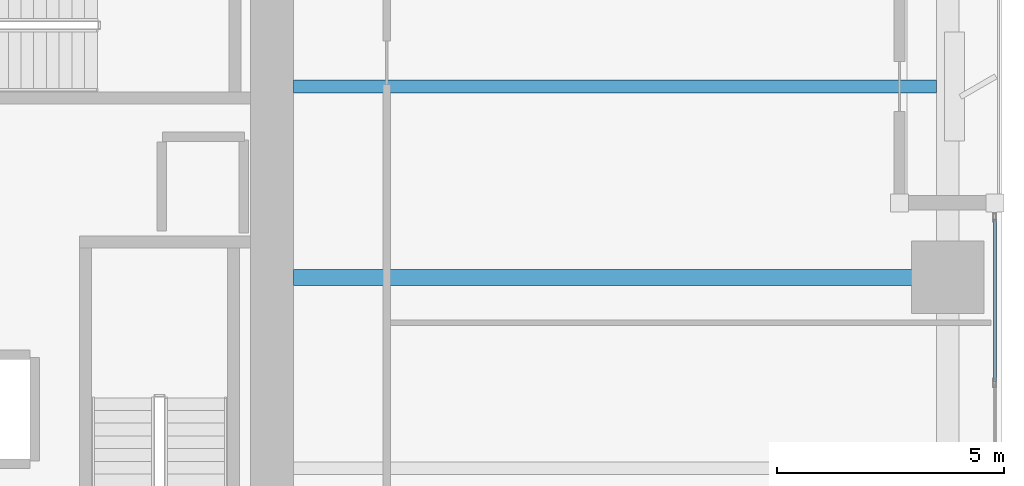
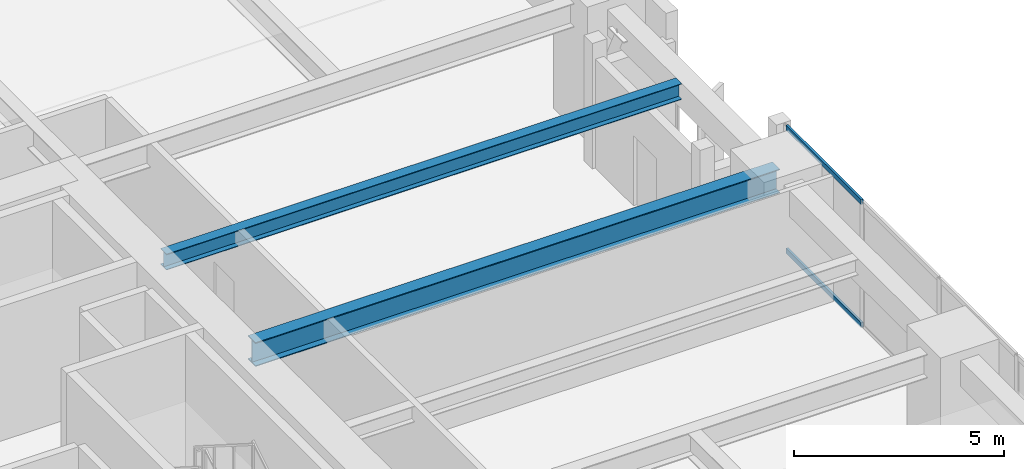
# One storey, part 9 of 29: 2 beams, 2 members, 1 element without a shape of its own.
"""IFC4 building model written with IfcOpenShell, lengths in metres."""

import ifcopenshell
import ifcopenshell.guid

model = None  # the IFC model being written
_history = None  # IfcOwnerHistory: only IFC2X3 demands one
_inside = {}  # id of a spatial element -> (the spatial element, [elements in it])
_under = {}  # id of a project, library or spatial element -> (it, [spatial elements below it])
_declared = {}  # id of a project -> (the project, [libraries it declares])
_typed = {}  # id of a type object -> (the type object, [elements of that type])
_made_of = {}  # id of a material, layer set ... -> (it, [elements and type objects made of it])


def new_model(schema):
    """Start an empty IFC model of exactly this schema.

    Asked for "IFC4X3", IfcOpenShell would pick the latest addendum, in which some entities
    have other attributes; the version numbers below select the first issue.
    IFC2X3 requires an IfcOwnerHistory on every rooted entity: one is made here for all.
    """
    global model, _history
    if schema == "IFC4X3":
        model = ifcopenshell.file(schema_version=(4, 3, 0, 0))
    else:
        model = ifcopenshell.file(schema=schema)
    _inside.clear()
    _under.clear()
    _declared.clear()
    _typed.clear()
    _made_of.clear()
    _history = None
    if model.schema == "IFC2X3":
        org = make("IfcOrganization", Name="unknown")
        user = make(
            "IfcPersonAndOrganization",
            ThePerson=make("IfcPerson", FamilyName="unknown"),
            TheOrganization=org,
        )
        app = make(
            "IfcApplication",
            ApplicationDeveloper=org,
            Version="unknown",
            ApplicationFullName="unknown",
            ApplicationIdentifier="unknown",
        )
        _history = make(
            "IfcOwnerHistory",
            OwningUser=user,
            OwningApplication=app,
            ChangeAction="ADDED",
            CreationDate=0,
        )
    return model


def make(cls, **values):
    """One entity of the class cls with the attributes given. An attribute that is None is left unset."""
    return model.create_entity(
        cls, **{name: value for name, value in values.items() if value is not None}
    )


def rooted(cls, **values):
    """An entity with a GlobalId (a new one), such as an element, a storey or a relation."""
    return make(cls, GlobalId=ifcopenshell.guid.new(), OwnerHistory=_history, **values)


def si_unit(unit_type, name, prefix=None):
    """IfcSIUnit, for example si_unit("LENGTHUNIT", "METRE", prefix="MILLI")."""
    return make("IfcSIUnit", UnitType=unit_type, Prefix=prefix, Name=name)


def assignment(units):
    """IfcUnitAssignment: the units of a project."""
    return None if units is None else make("IfcUnitAssignment", Units=units)


def point(xyz):
    """IfcCartesianPoint."""
    return None if xyz is None else make("IfcCartesianPoint", Coordinates=xyz)


def direction(xyz):
    """IfcDirection."""
    return None if xyz is None else make("IfcDirection", DirectionRatios=xyz)


def frame(location, z_axis=None, x_axis=None):
    """IfcAxis2Placement3D, a coordinate frame: its origin and axes. An axis left out is left unset."""
    return make(
        "IfcAxis2Placement3D",
        Location=point(location),
        Axis=direction(z_axis),
        RefDirection=direction(x_axis),
    )


def frame_2d(location, x_axis=None):
    """IfcAxis2Placement2D, a coordinate frame in the plane: its origin and x axis."""
    return make(
        "IfcAxis2Placement2D", Location=point(location), RefDirection=direction(x_axis)
    )


def origin():
    """The frame at (0, 0, 0) with its axes left unset."""
    return frame((0.0, 0.0, 0.0))


def origin_2d():
    """The frame at (0, 0) in the plane with its x axis left unset."""
    return frame_2d((0.0, 0.0))


def place(relative_to, where):
    """IfcLocalPlacement: puts the frame where relative to a parent placement (None: the world)."""
    return make(
        "IfcLocalPlacement", PlacementRelTo=relative_to, RelativePlacement=where
    )


def context(
    kind, dimensions, precision=None, world=None, true_north=None, identifier=None
):
    """IfcGeometricRepresentationContext, for example the 3D "Model" context."""
    return make(
        "IfcGeometricRepresentationContext",
        ContextIdentifier=identifier,
        ContextType=kind,
        CoordinateSpaceDimension=dimensions,
        Precision=precision,
        WorldCoordinateSystem=world,
        TrueNorth=true_north,
    )


def subcontext(parent, identifier, kind, view, scale=None):
    """IfcGeometricRepresentationSubContext, for example "Body" below "Model"."""
    return make(
        "IfcGeometricRepresentationSubContext",
        ContextIdentifier=identifier,
        ContextType=kind,
        ParentContext=parent,
        TargetScale=scale,
        TargetView=view,
    )


def project(units=None, contexts=None):
    """IfcProject with its units and contexts."""
    return rooted(
        "IfcProject",
        Name="project",
        RepresentationContexts=contexts,
        UnitsInContext=assignment(units),
    )


def spatial(cls, under=None, at=None, **own):
    """A site, building, storey or space (cls), placed at a placement, below another one or the project."""
    s = rooted(cls, ObjectPlacement=at, **own)
    if under is not None:
        _under.setdefault(under.id(), (under, []))[1].append(s)
    return s


def profile(cls, at=None, kind="AREA", **sizes):
    """A parametric profile (cls). Its sizes go by their IFC names, for example OverallWidth=200.0."""
    return make(cls, ProfileType=kind, Position=at, **sizes)


def hollow_rectangle(**sizes):
    """IfcRectangleHollowProfileDef."""
    return profile("IfcRectangleHollowProfileDef", **sizes)


def i_section(**sizes):
    """IfcIShapeProfileDef."""
    return profile("IfcIShapeProfileDef", **sizes)


def extrude(swept, where, along, depth):
    """IfcExtrudedAreaSolid: the profile swept, set in the frame where, extruded along a direction by depth."""
    return make(
        "IfcExtrudedAreaSolid",
        SweptArea=swept,
        Position=where,
        ExtrudedDirection=direction(along),
        Depth=depth,
    )


def shape(context_of_items, identifier, shape_type, items):
    """IfcShapeRepresentation: the items that make up one representation, for example the "Body"."""
    return make(
        "IfcShapeRepresentation",
        ContextOfItems=context_of_items,
        RepresentationIdentifier=identifier,
        RepresentationType=shape_type,
        Items=items,
    )


def material(Name=None, Category=None):
    """IfcMaterial."""
    return make("IfcMaterial", Name=Name, Category=Category)


def layer(
    of_material, thickness, ventilated=None, Name=None, Category=None, Priority=None
):
    """IfcMaterialLayer: one layer of a wall or slab, of a material (None: an air gap)."""
    return make(
        "IfcMaterialLayer",
        Material=of_material,
        LayerThickness=thickness,
        IsVentilated=ventilated,
        Name=Name,
        Category=Category,
        Priority=Priority,
    )


def layer_set(layers, Name=None):
    """IfcMaterialLayerSet."""
    return make("IfcMaterialLayerSet", MaterialLayers=layers, LayerSetName=Name)


def material_profile(
    of_material, cross_section, Name=None, Category=None, Priority=None
):
    """IfcMaterialProfile: a cross section and its material."""
    return make(
        "IfcMaterialProfile",
        Name=Name,
        Material=of_material,
        Profile=cross_section,
        Priority=Priority,
        Category=Category,
    )


def profile_set(profiles, Name=None, composite=None):
    """IfcMaterialProfileSet."""
    return make(
        "IfcMaterialProfileSet",
        Name=Name,
        MaterialProfiles=profiles,
        CompositeProfile=composite,
    )


def made_of(thing, what):
    """Note that an element or type object is made of a material, layer set ...; save() writes the relation."""
    if what is not None:
        _made_of.setdefault(what.id(), (what, []))[1].append(thing)
    return thing


def type_object(cls, material=None, **own):
    """A type object (cls), such as IfcWallType, which elements share."""
    return made_of(rooted(cls, **own), material)


def element(
    cls,
    number,
    at=None,
    inside=None,
    cuts=None,
    type_object=None,
    material=None,
    context=None,
    identifier="Body",
    shape_type=None,
    held_by="IfcProductDefinitionShape",
    body=None,
    shapes=None,
    **own,
):
    """One element of the class cls, such as IfcWall. Its Tag is "e" and its number.

    at: its placement. inside: the storey or other place that contains it. cuts: it is an
    opening in that element (IfcRelVoidsElement). A single representation is given by context,
    identifier, shape_type and body (its items); several are given by shapes. held_by: the class
    of the entity that holds the representations. save() writes the other relations.
    """
    e = rooted(cls, Tag="e%d" % number, ObjectPlacement=at, **own)
    if body is not None:
        shapes = [shape(context, identifier, shape_type, body)]
    if shapes is not None:
        e.Representation = make(held_by, Representations=shapes)
    if inside is not None:
        _inside.setdefault(inside.id(), (inside, []))[1].append(e)
    if cuts is not None:
        rooted(
            "IfcRelVoidsElement", RelatingBuildingElement=cuts, RelatedOpeningElement=e
        )
    if type_object is not None:
        _typed.setdefault(type_object.id(), (type_object, []))[1].append(e)
    return made_of(e, material)


def aggregate(whole, parts):
    """IfcRelAggregates: a whole, such as a stair, and the parts it consists of."""
    return rooted("IfcRelAggregates", RelatingObject=whole, RelatedObjects=parts)


def save(model, path):
    """Write the relations noted so far, then the file.

    IfcRelAggregates (storeys below a building ...), IfcRelContainedInSpatialStructure (elements
    in a storey), IfcRelDefinesByType, IfcRelAssociatesMaterial and IfcRelDeclares: one each for
    every whole, place, type object, material and project.
    """
    for whole, parts in _under.values():
        aggregate(whole, parts)
    for where, things in _inside.values():
        rooted(
            "IfcRelContainedInSpatialStructure",
            RelatedElements=things,
            RelatingStructure=where,
        )
    for kind, things in _typed.values():
        rooted("IfcRelDefinesByType", RelatedObjects=things, RelatingType=kind)
    for what, things in _made_of.values():
        rooted("IfcRelAssociatesMaterial", RelatedObjects=things, RelatingMaterial=what)
    for by, libraries in _declared.values():
        rooted("IfcRelDeclares", RelatingContext=by, RelatedDefinitions=libraries)
    model.write(path)


model = new_model("IFC4")

# Units and contexts
model_context = context("Model", 3, precision=1e-05, world=origin(), true_north=direction((0.0, 1.0)))
body_context = subcontext(model_context, "Body", "Model", "MODEL_VIEW")
ifc_project = project(units=[si_unit("LENGTHUNIT", "METRE"), si_unit("AREAUNIT", "SQUARE_METRE"), si_unit("VOLUMEUNIT", "CUBIC_METRE"), si_unit("PLANEANGLEUNIT", "RADIAN"), si_unit("MASSUNIT", "GRAM", prefix="KILO")], contexts=[model_context])

# Site, building, storey
site_placement = place(None, origin())
site = spatial("IfcSite", under=ifc_project, at=site_placement, CompositionType="ELEMENT")
building_placement = place(site_placement, origin())
building = spatial("IfcBuilding", under=site, at=building_placement, Name="Kiyonajd Concourse Tower", CompositionType="ELEMENT")
storey_placement = place(building_placement, frame((0.0, 0.0, 25.5)))
storey = spatial("IfcBuildingStorey", under=building, at=storey_placement, Name="L07", CompositionType="ELEMENT", Elevation=25.5)

# Beams
ifc_material_1 = material(Name="Steel ASTM A992 Grade 50", Category="steel")
ifc_material_profile_1 = material_profile(ifc_material_1, i_section(OverallWidth=0.280029296875, OverallDepth=0.462890625, WebThickness=0.0107421875, FlangeThickness=0.017333984375, at=origin_2d()), Name="W460X113")
ifc_profile_set_1 = profile_set([ifc_material_profile_1], Name="Steel ASTM A992 Grade 50")
beam_type_1 = type_object("IfcBeamType", Name="BM-JST-460A", PredefinedType="JOIST", material=ifc_profile_set_1)
beam_1_placement = place(storey_placement, frame((63.60009765625, 40.199951171875, 3.408447265625), z_axis=(1.0, 0.0, 0.0), x_axis=(0.0, 1.0, 0.0)))
element("IfcBeam", 1, at=beam_1_placement, inside=storey, type_object=beam_type_1, Name="L07 East Secondary Floor Joist", PredefinedType="JOIST", context=body_context, shape_type="SweptSolid", body=[
    extrude(i_section(OverallWidth=0.280029296875, OverallDepth=0.462890625, WebThickness=0.0107421875, FlangeThickness=0.017333984375, at=origin_2d()), origin(), (0.0, 0.0, 1.0), 14.14990234375),
])
ifc_material_profile_2 = material_profile(ifc_material_1, i_section(OverallWidth=0.35498046875, OverallDepth=0.695068359375, WebThickness=0.015380859375, FlangeThickness=0.02490234375, at=origin_2d()), Name="W690X217")
ifc_profile_set_2 = profile_set([ifc_material_profile_2], Name="Steel ASTM A992 Grade 50")
beam_type_2 = type_object("IfcBeamType", Name="BM-TWR-690", PredefinedType="BEAM", material=ifc_profile_set_2)
beam_2_placement = place(storey_placement, frame((63.60009765625, 36.0, 3.29248046875), z_axis=(1.0, 0.0, 0.0), x_axis=(0.0, 1.0, 0.0)))
element("IfcBeam", 2, at=beam_2_placement, inside=storey, type_object=beam_type_2, Name="L07 East Lease Girder", PredefinedType="BEAM", context=body_context, shape_type="SweptSolid", body=[
    extrude(i_section(OverallWidth=0.35498046875, OverallDepth=0.695068359375, WebThickness=0.015380859375, FlangeThickness=0.02490234375, at=origin_2d()), origin(), (0.0, 0.0, 1.0), 14.39990234375),
])

# Curtain wall, members
ifc_material_2 = material(Name="Thermally Broken Anodised Aluminium", Category="aluminium")
ifc_layer = layer(ifc_material_2, 0.179931640625)
ifc_layer_set = layer_set([ifc_layer], Name="Thermally Broken Anodised Aluminium")
curtain_wall_type = type_object("IfcCurtainWallType", Name="CW-SYS-02", PredefinedType="NOTDEFINED", material=ifc_layer_set)
curtain_wall_placement = place(storey_placement, origin())
curtain_wall = element("IfcCurtainWall", 3, at=curtain_wall_placement, inside=storey, type_object=curtain_wall_type, Name="L07 Unitised Curtain Wall CW2", PredefinedType="NOTDEFINED")
ifc_material_profile_3 = material_profile(ifc_material_2, hollow_rectangle(XDim=0.06494140625, YDim=0.139892578125, WallThickness=0.00390625, at=origin_2d()), Name="TRAN-65x140")
ifc_profile_set_3 = profile_set([ifc_material_profile_3], Name="Thermally Broken Anodised Aluminium")
member_type = type_object("IfcMemberType", Name="MB-CW-TRAN1", PredefinedType="USERDEFINED", material=ifc_profile_set_3)
member_1_placement = place(storey_placement, frame((79.0400390625, 37.284912109375, 0.032470703125), z_axis=(0.0, -1.0, 0.0), x_axis=(1.0, 0.0, 0.0)))
member_1 = element("IfcMember", 4, at=member_1_placement, type_object=member_type, Name="CW2 transom 1.1", ObjectType="TRANSOM", PredefinedType="USERDEFINED", context=body_context, shape_type="SweptSolid", body=[
    extrude(hollow_rectangle(XDim=0.06494140625, YDim=0.139892578125, WallThickness=0.00390625, at=origin_2d()), origin(), (0.0, 0.0, 1.0), 3.57568359375),
])
member_2_placement = place(storey_placement, frame((79.0400390625, 37.284912109375, 3.607421875), z_axis=(0.0, -1.0, 0.0), x_axis=(1.0, 0.0, 0.0)))
member_2 = element("IfcMember", 5, at=member_2_placement, type_object=member_type, Name="CW2 transom 1.2", ObjectType="TRANSOM", PredefinedType="USERDEFINED", context=body_context, shape_type="SweptSolid", body=[
    extrude(hollow_rectangle(XDim=0.06494140625, YDim=0.139892578125, WallThickness=0.00390625, at=origin_2d()), origin(), (0.0, 0.0, 1.0), 3.57568359375),
])
aggregate(curtain_wall, [member_1, member_2])

save(model, "model.ifc")
